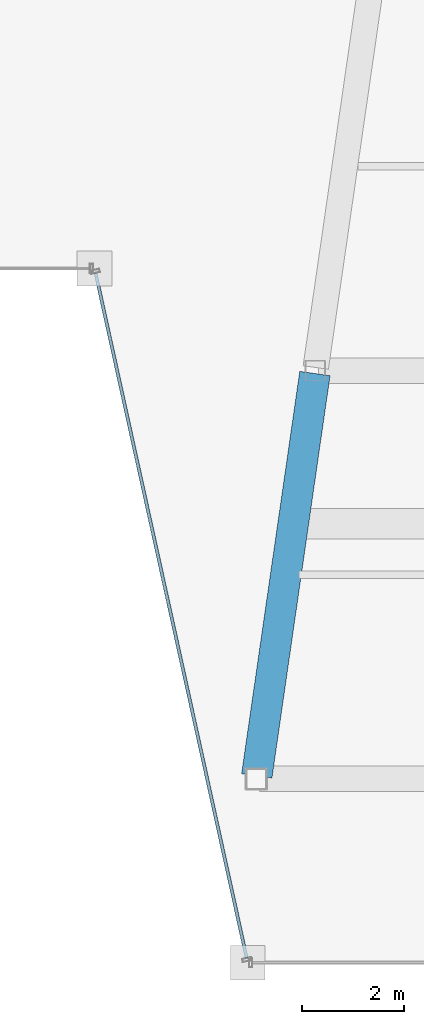
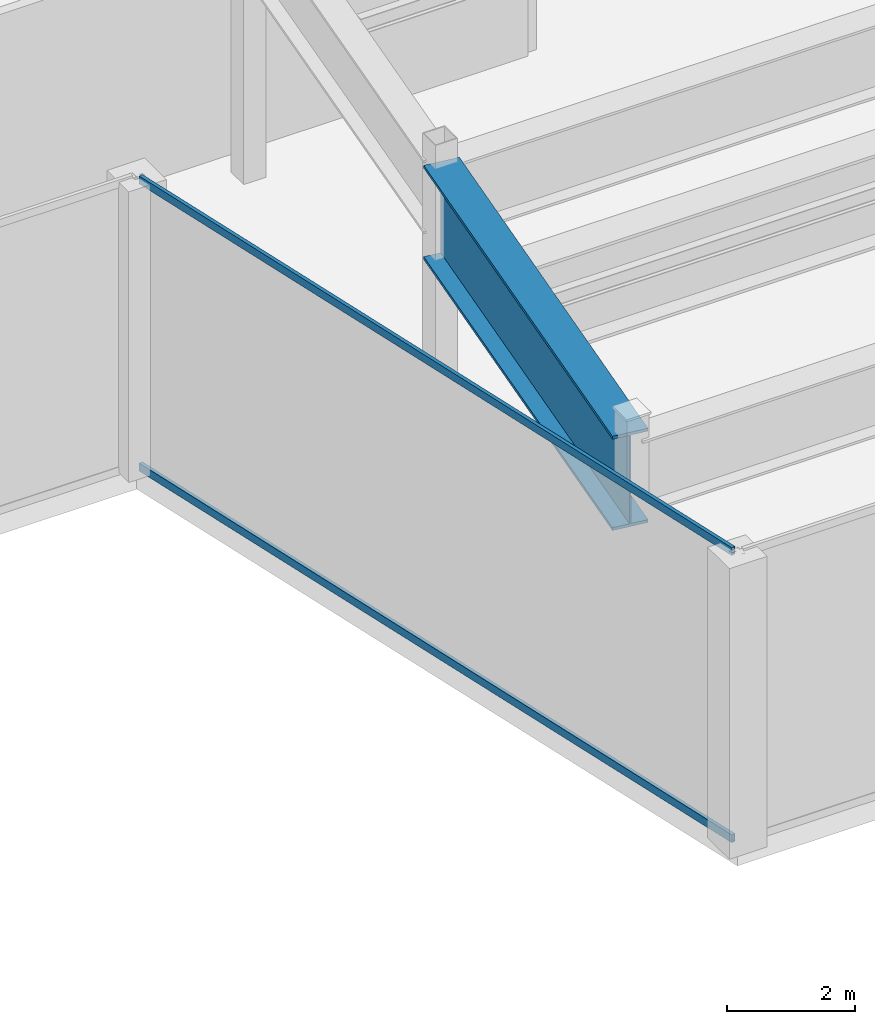
# One storey, part 15 of 34: 2 members, 1 beam, 1 element without a shape of its own.
"""IFC4 building model written with IfcOpenShell, lengths in metres."""

from ifc_helpers import new_model, si_unit, direction, frame, origin, origin_2d, place, context, subcontext, project, spatial, hollow_rectangle, i_section, extrude, material, material_profile, profile_set, type_object, element, aggregate, save


model = new_model("IFC4")

# Units and contexts
model_context = context("Model", 3, precision=1e-05, world=origin(), true_north=direction((0.0, 1.0)))
body_context = subcontext(model_context, "Body", "Model", "MODEL_VIEW")
ifc_project = project(units=[si_unit("LENGTHUNIT", "METRE"), si_unit("AREAUNIT", "SQUARE_METRE"), si_unit("VOLUMEUNIT", "CUBIC_METRE"), si_unit("PLANEANGLEUNIT", "RADIAN"), si_unit("MASSUNIT", "GRAM", prefix="KILO")], contexts=[model_context])

# Site, building, storey
site_placement = place(None, origin())
site = spatial("IfcSite", under=ifc_project, at=site_placement, CompositionType="ELEMENT")
building_placement = place(site_placement, origin())
building = spatial("IfcBuilding", under=site, at=building_placement, Name="Saevonmaru Cultural Tower", CompositionType="ELEMENT")
storey_placement = place(building_placement, frame((0.0, 0.0, 224.60009765625)))
storey = spatial("IfcBuildingStorey", under=building, at=storey_placement, Name="L52", CompositionType="ELEMENT", Elevation=224.60009765625)

# Beam
ifc_material_1 = material(Name="Steel HSA600 (600 MPa)", Category="steel")
ifc_material_profile_1 = material_profile(ifc_material_1, i_section(OverallWidth=0.60009765625, OverallDepth=1.800048828125, WebThickness=0.028076171875, FlangeThickness=0.054931640625, at=origin_2d()), Name="PG-1800x600x28x55")
ifc_profile_set_1 = profile_set([ifc_material_profile_1], Name="Steel HSA600 (600 MPa)")
beam_type = type_object("IfcBeamType", Name="BM-TG-PG1800", PredefinedType="BEAM", material=ifc_profile_set_1)
beam_placement = place(storey_placement, frame((38.08056640625, 16.059326171875, 4.64990234375), z_axis=(0.143022161059, 0.989719486241, 0.0), x_axis=(-0.989719486241, 0.143022161059, 0.0)))
element("IfcBeam", 1, at=beam_placement, inside=storey, type_object=beam_type, Name="L52 East Atrium Girder 1", PredefinedType="BEAM", context=body_context, shape_type="SweptSolid", body=[
    extrude(i_section(OverallWidth=0.60009765625, OverallDepth=1.800048828125, WebThickness=0.028076171875, FlangeThickness=0.054931640625, at=origin_2d()), origin(), (0.0, 0.0, 1.0), 7.963134765625),
])

# Curtain wall, members
ifc_material_2 = material(Name="Satin Bronze Anodised Aluminium", Category="aluminium")
curtain_wall_type = type_object("IfcCurtainWallType", Name="CW-TYP-B", PredefinedType="NOTDEFINED", material=ifc_material_2)
curtain_wall_placement = place(storey_placement, origin())
curtain_wall = element("IfcCurtainWall", 2, at=curtain_wall_placement, inside=storey, type_object=curtain_wall_type, Name="L52 Wind-Floor Acoustic Louvre Screen E5", PredefinedType="NOTDEFINED")
ifc_material_profile_2 = material_profile(ifc_material_2, hollow_rectangle(XDim=0.06494140625, YDim=0.14990234375, WallThickness=0.00390625, at=origin_2d()), Name="ALU-TRAN-150x65x4")
ifc_profile_set_2 = profile_set([ifc_material_profile_2], Name="Satin Bronze Anodised Aluminium")
member_type = type_object("IfcMemberType", Name="TR-CW-150x65", PredefinedType="USERDEFINED", material=ifc_profile_set_2)
member_1_placement = place(storey_placement, frame((34.922119140625, 25.90966796875, 0.032470703125), z_axis=(0.21541214732, -0.976523223885, 0.0), x_axis=(0.976523223885, 0.21541214732, 0.0)))
member_1 = element("IfcMember", 3, at=member_1_placement, type_object=member_type, Name="CW-TW-L52-E5 transom 1.1", ObjectType="TRANSOM", PredefinedType="USERDEFINED", context=body_context, shape_type="SweptSolid", body=[
    extrude(hollow_rectangle(XDim=0.06494140625, YDim=0.14990234375, WallThickness=0.00390625, at=origin_2d()), origin(), (0.0, 0.0, 1.0), 13.741943359375),
])
member_2_placement = place(storey_placement, frame((34.922119140625, 25.90966796875, 5.517333984375), z_axis=(0.21541214732, -0.976523223885, 0.0), x_axis=(0.976523223885, 0.21541214732, 0.0)))
member_2 = element("IfcMember", 4, at=member_2_placement, type_object=member_type, Name="CW-TW-L52-E5 transom 1.2", ObjectType="TRANSOM", PredefinedType="USERDEFINED", context=body_context, shape_type="SweptSolid", body=[
    extrude(hollow_rectangle(XDim=0.06494140625, YDim=0.14990234375, WallThickness=0.00390625, at=origin_2d()), origin(), (0.0, 0.0, 1.0), 13.741943359375),
])
aggregate(curtain_wall, [member_1, member_2])

save(model, "model.ifc")
